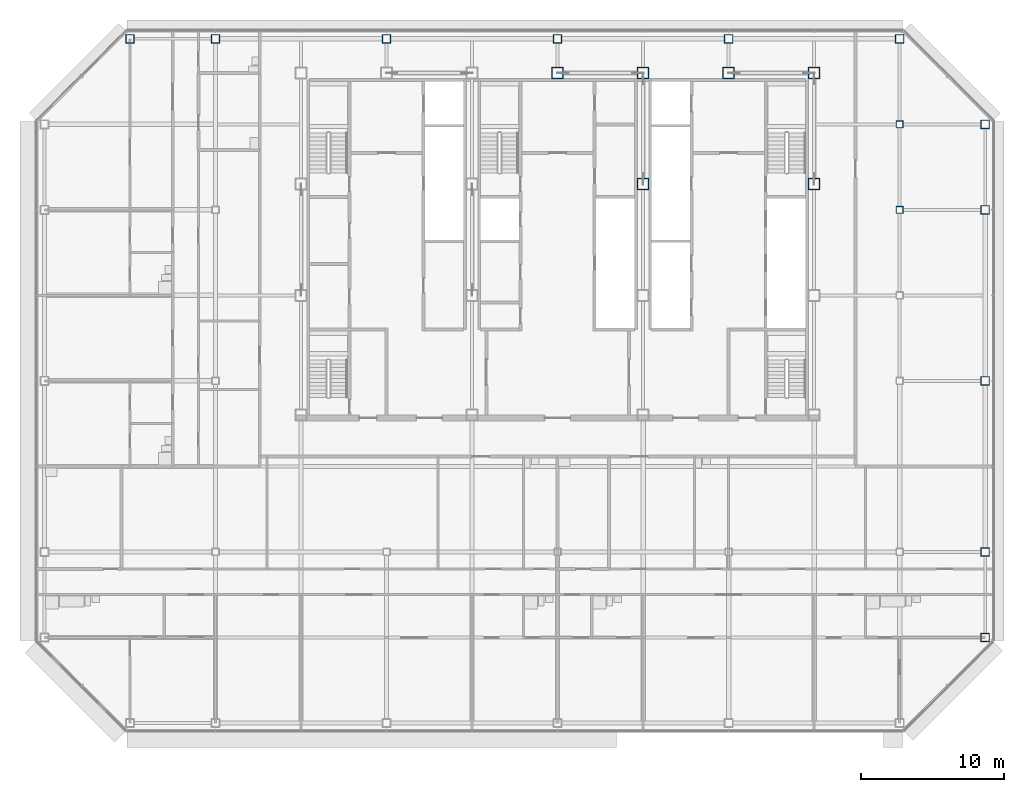
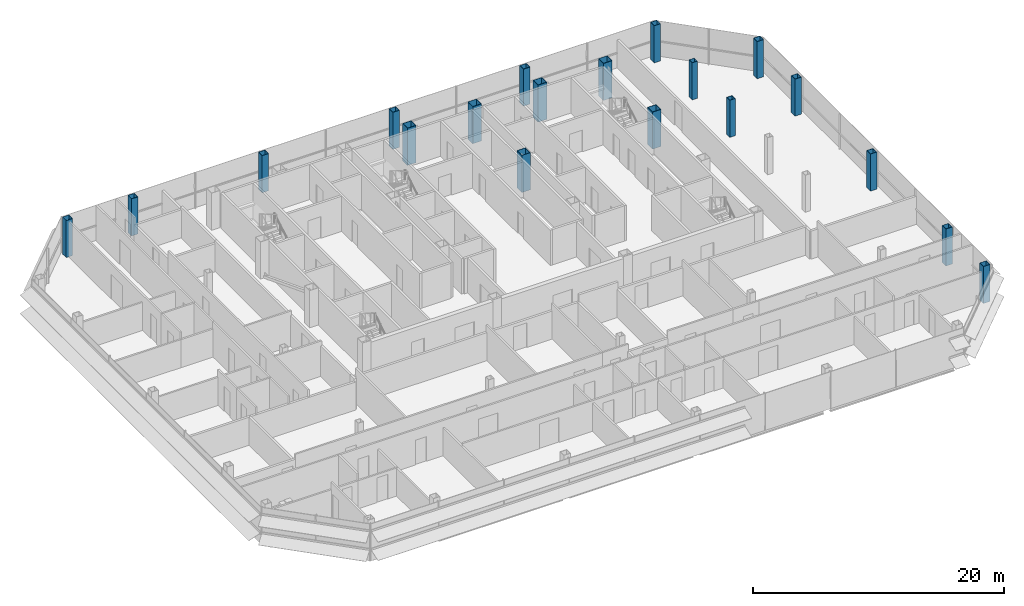
# One storey, part 2 of 28: 19 columns.
"""IFC4 building model written with IfcOpenShell, lengths in metres."""

from ifc_helpers import new_model, si_unit, direction, frame, origin, origin_2d, place, context, subcontext, project, spatial, hollow_rectangle, extrude, material, material_profile, profile_set, type_object, element, save


model = new_model("IFC4")

# Units and contexts
model_context = context("Model", 3, precision=1e-05, world=origin(), true_north=direction((0.0, 1.0)))
body_context = subcontext(model_context, "Body", "Model", "MODEL_VIEW")
ifc_project = project(units=[si_unit("LENGTHUNIT", "METRE"), si_unit("AREAUNIT", "SQUARE_METRE"), si_unit("VOLUMEUNIT", "CUBIC_METRE"), si_unit("PLANEANGLEUNIT", "RADIAN"), si_unit("MASSUNIT", "GRAM", prefix="KILO")], contexts=[model_context])

# Site, building, storey
site_placement = place(None, origin())
site = spatial("IfcSite", under=ifc_project, at=site_placement, CompositionType="ELEMENT")
building_placement = place(site_placement, origin())
building = spatial("IfcBuilding", under=site, at=building_placement, Name="Sorahane Residences", CompositionType="ELEMENT")
storey_placement = place(building_placement, frame((0.0, 0.0, 266.60009765625)))
storey = spatial("IfcBuildingStorey", under=building, at=storey_placement, Name="L63", CompositionType="ELEMENT", Elevation=266.60009765625)

# Columns
ifc_material_1 = material(Name="Steel Q355B", Category="steel")
ifc_material_profile_1 = material_profile(ifc_material_1, hollow_rectangle(XDim=0.5, YDim=0.5, WallThickness=0.02490234375, at=origin_2d()), Name="BOX 500x500x25")
ifc_profile_set_1 = profile_set([ifc_material_profile_1], Name="Steel Q355B")
column_type_1 = type_object("IfcColumnType", Name="Steel box column BOX 500x500x25 Q355B", PredefinedType="COLUMN", material=ifc_profile_set_1)
for number, where, z_axis, x_axis, name in (
    (1, (48.0, 36.0, 0.0), (0.0, 0.0, 1.0), (1.0, 0.0, 0.0), "Column L63 48/36"),
    (2, (48.0, 42.0, 0.0), (0.0, 0.0, 1.0), (1.0, 0.0, 0.0), "Column L63 48/42"),
):
    element("IfcColumn", number, at=place(storey_placement, frame(where, z_axis=z_axis, x_axis=x_axis)), inside=storey, type_object=column_type_1, Name=name, PredefinedType="COLUMN", context=body_context, shape_type="SweptSolid", body=[
        extrude(hollow_rectangle(XDim=0.5, YDim=0.5, WallThickness=0.02490234375, at=origin_2d()), origin(), (0.0, 0.0, 1.0), 3.599853515625),
    ])
ifc_material_2 = material(Name="Steel Q355B", Category="steel")
ifc_material_profile_2 = material_profile(ifc_material_2, hollow_rectangle(XDim=0.60009765625, YDim=0.60009765625, WallThickness=0.028076171875, at=origin_2d()), Name="BOX 600x600x28")
ifc_profile_set_2 = profile_set([ifc_material_profile_2], Name="Steel Q355B")
column_type_2 = type_object("IfcColumnType", Name="Steel box column BOX 600x600x28 Q355B", PredefinedType="COLUMN", material=ifc_profile_set_2)
for number, where, z_axis, x_axis, name in (
    (3, (-6.0, 48.0, 0.0), (0.0, 0.0, 1.0), (1.0, 0.0, 0.0), "Column L63 m6/48"),
    (4, (0.0, 48.0, 0.0), (0.0, 0.0, 1.0), (1.0, 0.0, 0.0), "Column L63 0/48"),
    (5, (12.0, 48.0, 0.0), (0.0, 0.0, 1.0), (1.0, 0.0, 0.0), "Column L63 12/48"),
    (6, (24.0, 48.0, 0.0), (0.0, 0.0, 1.0), (1.0, 0.0, 0.0), "Column L63 24/48"),
    (7, (36.0, 48.0, 0.0), (0.0, 0.0, 1.0), (1.0, 0.0, 0.0), "Column L63 36/48"),
    (8, (48.0, 48.0, 0.0), (0.0, 0.0, 1.0), (1.0, 0.0, 0.0), "Column L63 48/48"),
    (9, (54.0, 6.0, 0.0), (0.0, 0.0, 1.0), (1.0, 0.0, 0.0), "Column L63 54/6"),
    (10, (54.0, 12.0, 0.0), (0.0, 0.0, 1.0), (1.0, 0.0, 0.0), "Column L63 54/12"),
    (11, (54.0, 24.0, 0.0), (0.0, 0.0, 1.0), (1.0, 0.0, 0.0), "Column L63 54/24"),
    (12, (54.0, 36.0, 0.0), (0.0, 0.0, 1.0), (1.0, 0.0, 0.0), "Column L63 54/36"),
    (13, (54.0, 42.0, 0.0), (0.0, 0.0, 1.0), (1.0, 0.0, 0.0), "Column L63 54/42"),
):
    element("IfcColumn", number, at=place(storey_placement, frame(where, z_axis=z_axis, x_axis=x_axis)), inside=storey, type_object=column_type_2, Name=name, PredefinedType="COLUMN", context=body_context, shape_type="SweptSolid", body=[
        extrude(hollow_rectangle(XDim=0.60009765625, YDim=0.60009765625, WallThickness=0.028076171875, at=origin_2d()), origin(), (0.0, 0.0, 1.0), 3.599853515625),
    ])
ifc_material_3 = material(Name="Steel Q355B", Category="steel")
ifc_material_profile_3 = material_profile(ifc_material_3, hollow_rectangle(XDim=0.800048828125, YDim=0.800048828125, WallThickness=0.031982421875, at=origin_2d()), Name="BOX 800x800x32")
ifc_profile_set_3 = profile_set([ifc_material_profile_3], Name="Steel Q355B")
column_type_3 = type_object("IfcColumnType", Name="Steel box column BOX 800x800x32 Q355B", PredefinedType="COLUMN", material=ifc_profile_set_3)
for number, where, z_axis, x_axis, name in (
    (14, (24.0, 45.60009765625, 0.0), (0.0, 0.0, 1.0), (1.0, 0.0, 0.0), "Column L63 24/45.6"),
    (15, (30.0, 37.800048828125, 0.0), (0.0, 0.0, 1.0), (1.0, 0.0, 0.0), "Column L63 30/37.8"),
    (16, (30.0, 45.60009765625, 0.0), (0.0, 0.0, 1.0), (1.0, 0.0, 0.0), "Column L63 30/45.6"),
    (17, (36.0, 45.60009765625, 0.0), (0.0, 0.0, 1.0), (1.0, 0.0, 0.0), "Column L63 36/45.6"),
    (18, (42.0, 37.800048828125, 0.0), (0.0, 0.0, 1.0), (1.0, 0.0, 0.0), "Column L63 42/37.8"),
    (19, (42.0, 45.60009765625, 0.0), (0.0, 0.0, 1.0), (1.0, 0.0, 0.0), "Column L63 42/45.6"),
):
    element("IfcColumn", number, at=place(storey_placement, frame(where, z_axis=z_axis, x_axis=x_axis)), inside=storey, type_object=column_type_3, Name=name, PredefinedType="COLUMN", context=body_context, shape_type="SweptSolid", body=[
        extrude(hollow_rectangle(XDim=0.800048828125, YDim=0.800048828125, WallThickness=0.031982421875, at=origin_2d()), origin(), (0.0, 0.0, 1.0), 3.599853515625),
    ])

save(model, "model.ifc")
